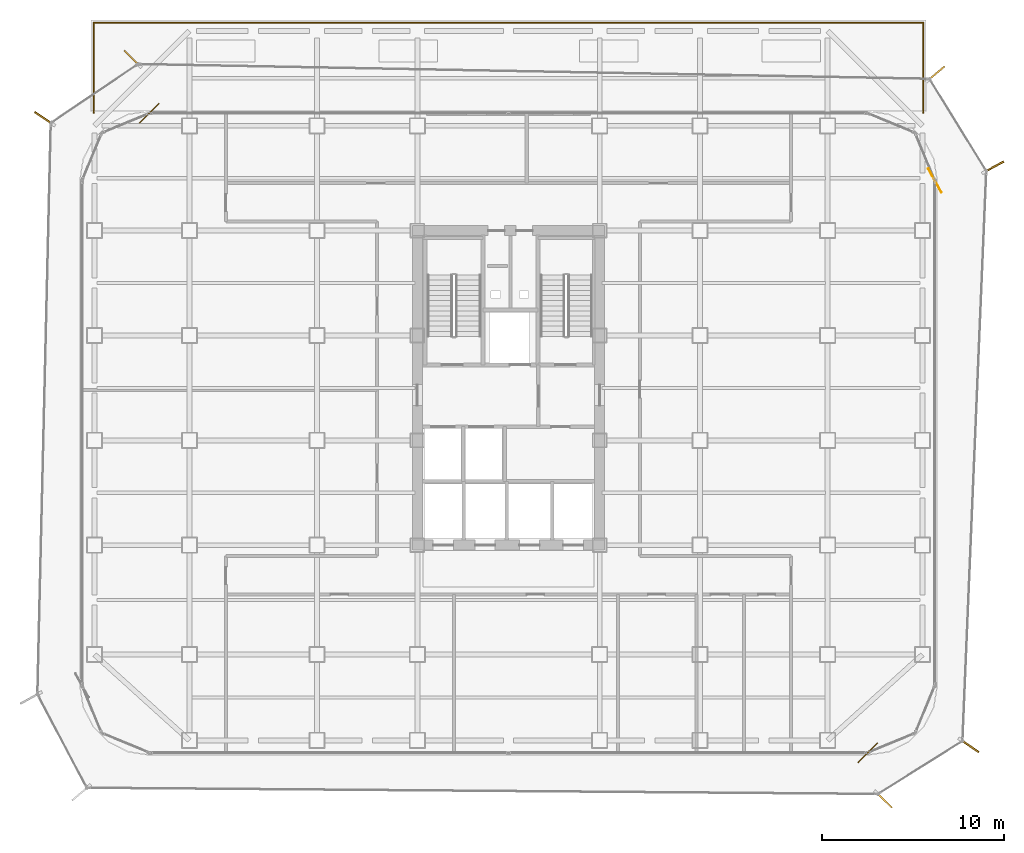
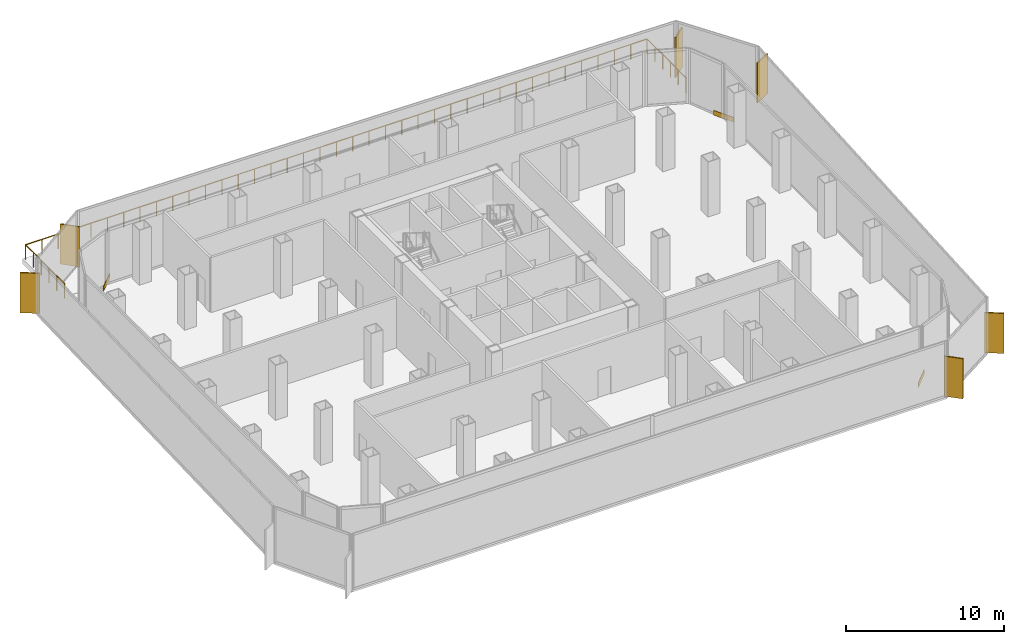
# One storey, part 21 of 21: 6 shading devices, 3 coverings, 1 railing.
"""IFC4 building model written with IfcOpenShell, lengths in metres."""

from ifc_helpers import new_model, si_unit, direction, frame, origin, origin_2d, place, context, subcontext, project, spatial, rectangle, circle, extrude, source, transform, mapped, material, layer, layer_set, type_object, element, save


model = new_model("IFC4")

# Units and contexts
model_context = context("Model", 3, precision=1e-05, world=origin(), true_north=direction((0.0, 1.0)))
body_context = subcontext(model_context, "Body", "Model", "MODEL_VIEW")
ifc_project = project(units=[si_unit("LENGTHUNIT", "METRE"), si_unit("AREAUNIT", "SQUARE_METRE"), si_unit("VOLUMEUNIT", "CUBIC_METRE"), si_unit("PLANEANGLEUNIT", "RADIAN"), si_unit("MASSUNIT", "GRAM", prefix="KILO")], contexts=[model_context])

# Site, building, storey
site_placement = place(None, origin())
site = spatial("IfcSite", under=ifc_project, at=site_placement, CompositionType="ELEMENT")
building_placement = place(site_placement, origin())
building = spatial("IfcBuilding", under=site, at=building_placement, Name="Kolveth Station Tower", CompositionType="ELEMENT")
storey_placement = place(building_placement, frame((0.0, 0.0, 88.199951171875)))
storey = spatial("IfcBuildingStorey", under=building, at=storey_placement, Name="L23", CompositionType="ELEMENT", Elevation=88.199951171875)

# Railing
ifc_material_1 = material(Name="Black anodized aluminium 6063-T6 and laminated glass", Category="aluminium")
railing_type = type_object("IfcRailingType", Name="Guard_GR1", PredefinedType="BALUSTRADE", material=ifc_material_1)
railing_placement = place(storey_placement, frame((0.75, 35.199951171875, 0.0)))
element("IfcRailing", 1, at=railing_placement, inside=storey, type_object=railing_type, Name="L23 North Sky Garden Perimeter Guard", PredefinedType="BALUSTRADE", context=body_context, shape_type="SweptSolid", body=[
    extrude(circle(Radius=0.02392578125, at=origin_2d()), frame((0.0, 0.0, 1.1259765625), z_axis=(0.0, 1.0, 0.0), x_axis=(-1.0, 0.0, 0.0)), (0.0, 0.0, 1.0), 4.949951171875),
    extrude(circle(Radius=0.02392578125, at=origin_2d()), frame((0.0, 4.949951171875, 1.1259765625), z_axis=(1.0, 0.0, 0.0), x_axis=(0.0, 1.0, 0.0)), (0.0, 0.0, 1.0), 45.5),
    extrude(circle(Radius=0.02392578125, at=origin_2d()), frame((45.5, 4.949951171875, 1.1259765625), z_axis=(0.0, -1.0, 0.0), x_axis=(1.0, 0.0, 0.0)), (0.0, 0.0, 1.0), 4.949951171875),
    extrude(circle(Radius=0.02099609375, at=origin_2d()), origin(), (0.0, 0.0, 1.0), 1.101806640625),
    extrude(circle(Radius=0.02099609375, at=origin_2d()), frame((0.0, 0.989990234375, 0.0)), (0.0, 0.0, 1.0), 1.101806640625),
    extrude(circle(Radius=0.02099609375, at=origin_2d()), frame((0.0, 1.97998046875, 0.0)), (0.0, 0.0, 1.0), 1.101806640625),
    extrude(circle(Radius=0.02099609375, at=origin_2d()), frame((0.0, 2.969970703125, 0.0)), (0.0, 0.0, 1.0), 1.101806640625),
    extrude(circle(Radius=0.02099609375, at=origin_2d()), frame((0.0, 3.9599609375, 0.0)), (0.0, 0.0, 1.0), 1.101806640625),
    extrude(circle(Radius=0.02099609375, at=origin_2d()), frame((0.0, 4.949951171875, 0.0)), (0.0, 0.0, 1.0), 1.101806640625),
    extrude(circle(Radius=0.02099609375, at=origin_2d()), frame((1.197265625, 4.949951171875, 0.0)), (0.0, 0.0, 1.0), 1.101806640625),
    extrude(circle(Radius=0.02099609375, at=origin_2d()), frame((2.394775390625, 4.949951171875, 0.0)), (0.0, 0.0, 1.0), 1.101806640625),
    extrude(circle(Radius=0.02099609375, at=origin_2d()), frame((3.592041015625, 4.949951171875, 0.0)), (0.0, 0.0, 1.0), 1.101806640625),
    extrude(circle(Radius=0.02099609375, at=origin_2d()), frame((4.78955078125, 4.949951171875, 0.0)), (0.0, 0.0, 1.0), 1.101806640625),
    extrude(circle(Radius=0.02099609375, at=origin_2d()), frame((5.98681640625, 4.949951171875, 0.0)), (0.0, 0.0, 1.0), 1.101806640625),
    extrude(circle(Radius=0.02099609375, at=origin_2d()), frame((7.184326171875, 4.949951171875, 0.0)), (0.0, 0.0, 1.0), 1.101806640625),
    extrude(circle(Radius=0.02099609375, at=origin_2d()), frame((8.381591796875, 4.949951171875, 0.0)), (0.0, 0.0, 1.0), 1.101806640625),
    extrude(circle(Radius=0.02099609375, at=origin_2d()), frame((9.578857421875, 4.949951171875, 0.0)), (0.0, 0.0, 1.0), 1.101806640625),
    extrude(circle(Radius=0.02099609375, at=origin_2d()), frame((10.7763671875, 4.949951171875, 0.0)), (0.0, 0.0, 1.0), 1.101806640625),
    extrude(circle(Radius=0.02099609375, at=origin_2d()), frame((11.9736328125, 4.949951171875, 0.0)), (0.0, 0.0, 1.0), 1.101806640625),
    extrude(circle(Radius=0.02099609375, at=origin_2d()), frame((13.171142578125, 4.949951171875, 0.0)), (0.0, 0.0, 1.0), 1.101806640625),
    extrude(circle(Radius=0.02099609375, at=origin_2d()), frame((14.368408203125, 4.949951171875, 0.0)), (0.0, 0.0, 1.0), 1.101806640625),
    extrude(circle(Radius=0.02099609375, at=origin_2d()), frame((15.565673828125, 4.949951171875, 0.0)), (0.0, 0.0, 1.0), 1.101806640625),
    extrude(circle(Radius=0.02099609375, at=origin_2d()), frame((16.76318359375, 4.949951171875, 0.0)), (0.0, 0.0, 1.0), 1.101806640625),
    extrude(circle(Radius=0.02099609375, at=origin_2d()), frame((17.96044921875, 4.949951171875, 0.0)), (0.0, 0.0, 1.0), 1.101806640625),
    extrude(circle(Radius=0.02099609375, at=origin_2d()), frame((19.157958984375, 4.949951171875, 0.0)), (0.0, 0.0, 1.0), 1.101806640625),
    extrude(circle(Radius=0.02099609375, at=origin_2d()), frame((20.355224609375, 4.949951171875, 0.0)), (0.0, 0.0, 1.0), 1.101806640625),
    extrude(circle(Radius=0.02099609375, at=origin_2d()), frame((21.552734375, 4.949951171875, 0.0)), (0.0, 0.0, 1.0), 1.101806640625),
    extrude(circle(Radius=0.02099609375, at=origin_2d()), frame((22.75, 4.949951171875, 0.0)), (0.0, 0.0, 1.0), 1.101806640625),
    extrude(circle(Radius=0.02099609375, at=origin_2d()), frame((23.947265625, 4.949951171875, 0.0)), (0.0, 0.0, 1.0), 1.101806640625),
    extrude(circle(Radius=0.02099609375, at=origin_2d()), frame((25.144775390625, 4.949951171875, 0.0)), (0.0, 0.0, 1.0), 1.101806640625),
    extrude(circle(Radius=0.02099609375, at=origin_2d()), frame((26.342041015625, 4.949951171875, 0.0)), (0.0, 0.0, 1.0), 1.101806640625),
    extrude(circle(Radius=0.02099609375, at=origin_2d()), frame((27.53955078125, 4.949951171875, 0.0)), (0.0, 0.0, 1.0), 1.101806640625),
    extrude(circle(Radius=0.02099609375, at=origin_2d()), frame((28.73681640625, 4.949951171875, 0.0)), (0.0, 0.0, 1.0), 1.101806640625),
    extrude(circle(Radius=0.02099609375, at=origin_2d()), frame((29.934326171875, 4.949951171875, 0.0)), (0.0, 0.0, 1.0), 1.101806640625),
    extrude(circle(Radius=0.02099609375, at=origin_2d()), frame((31.131591796875, 4.949951171875, 0.0)), (0.0, 0.0, 1.0), 1.101806640625),
    extrude(circle(Radius=0.02099609375, at=origin_2d()), frame((32.328857421875, 4.949951171875, 0.0)), (0.0, 0.0, 1.0), 1.101806640625),
    extrude(circle(Radius=0.02099609375, at=origin_2d()), frame((33.5263671875, 4.949951171875, 0.0)), (0.0, 0.0, 1.0), 1.101806640625),
    extrude(circle(Radius=0.02099609375, at=origin_2d()), frame((34.7236328125, 4.949951171875, 0.0)), (0.0, 0.0, 1.0), 1.101806640625),
    extrude(circle(Radius=0.02099609375, at=origin_2d()), frame((35.921142578125, 4.949951171875, 0.0)), (0.0, 0.0, 1.0), 1.101806640625),
    extrude(circle(Radius=0.02099609375, at=origin_2d()), frame((37.118408203125, 4.949951171875, 0.0)), (0.0, 0.0, 1.0), 1.101806640625),
    extrude(circle(Radius=0.02099609375, at=origin_2d()), frame((38.315673828125, 4.949951171875, 0.0)), (0.0, 0.0, 1.0), 1.101806640625),
    extrude(circle(Radius=0.02099609375, at=origin_2d()), frame((39.51318359375, 4.949951171875, 0.0)), (0.0, 0.0, 1.0), 1.101806640625),
    extrude(circle(Radius=0.02099609375, at=origin_2d()), frame((40.71044921875, 4.949951171875, 0.0)), (0.0, 0.0, 1.0), 1.101806640625),
    extrude(circle(Radius=0.02099609375, at=origin_2d()), frame((41.907958984375, 4.949951171875, 0.0)), (0.0, 0.0, 1.0), 1.101806640625),
    extrude(circle(Radius=0.02099609375, at=origin_2d()), frame((43.105224609375, 4.949951171875, 0.0)), (0.0, 0.0, 1.0), 1.101806640625),
    extrude(circle(Radius=0.02099609375, at=origin_2d()), frame((44.302734375, 4.949951171875, 0.0)), (0.0, 0.0, 1.0), 1.101806640625),
    extrude(circle(Radius=0.02099609375, at=origin_2d()), frame((45.5, 4.949951171875, 0.0)), (0.0, 0.0, 1.0), 1.101806640625),
    extrude(circle(Radius=0.02099609375, at=origin_2d()), frame((45.5, 3.9599609375, 0.0)), (0.0, 0.0, 1.0), 1.101806640625),
    extrude(circle(Radius=0.02099609375, at=origin_2d()), frame((45.5, 2.969970703125, 0.0)), (0.0, 0.0, 1.0), 1.101806640625),
    extrude(circle(Radius=0.02099609375, at=origin_2d()), frame((45.5, 1.97998046875, 0.0)), (0.0, 0.0, 1.0), 1.101806640625),
    extrude(circle(Radius=0.02099609375, at=origin_2d()), frame((45.5, 0.989990234375, 0.0)), (0.0, 0.0, 1.0), 1.101806640625),
    extrude(circle(Radius=0.02099609375, at=origin_2d()), frame((45.5, 0.0, 0.0)), (0.0, 0.0, 1.0), 1.101806640625),
])

# Shading devices
ifc_material_2 = material(Name="Black anodized aluminium 6063-T6", Category="aluminium")
shading_device_type = type_object("IfcShadingDeviceType", Name="FIN_VF1", PredefinedType="USERDEFINED", material=ifc_material_2)
shared_shape_1 = source(origin(), body_context, "Body", "SweptSolid", [
    extrude(rectangle(XDim=1.25, YDim=0.090087890625, at=origin_2d()), origin(), (0.0, 0.0, 1.0), 3.10009765625),
])
for number, where, z_axis, x_axis, name in (
    (2, (44.0849609375, -2.4599609375, 0.0), (0.0, 0.0, 1.0), (0.715326946227, -0.698789925516, 0.0), "L23 Dark-Aluminium Solar Fin 1"),
    (3, (48.77001953125, 0.509033203125, 0.0), (0.0, 0.0, 1.0), (0.827570769564, -0.561361399958, 0.0), "L23 Dark-Aluminium Solar Fin 2"),
    (4, (50.10009765625, 32.237060546875, 0.0), (0.0, 0.0, 1.0), (0.876810690731, 0.480835743909, 0.0), "L23 Dark-Aluminium Solar Fin 3"),
    (5, (46.93701171875, 37.35791015625, 0.0), (0.0, 0.0, 1.0), (0.7653708976, 0.643589456957, 0.0), "L23 Dark-Aluminium Solar Fin 4"),
    (6, (2.864990234375, 38.193115234375, 0.0), (0.0, 0.0, 1.0), (-0.7087093341, 0.705500588065, 0.0), "L23 Dark-Aluminium Solar Fin 5"),
    (7, (-1.965087890625, 34.903076171875, 0.0), (0.0, 0.0, 1.0), (-0.827864584251, 0.560928007986, 0.0), "L23 Dark-Aluminium Solar Fin 6"),
):
    element("IfcShadingDevice", number, at=place(storey_placement, frame(where, z_axis=z_axis, x_axis=x_axis)), inside=storey, type_object=shading_device_type, Name=name, ObjectType="FIN", PredefinedType="USERDEFINED", context=body_context, shape_type="MappedRepresentation", body=[
        mapped(shared_shape_1, transform((0.0, 0.0, 0.0), x_axis=(1.0, 0.0, 0.0), y_axis=(0.0, 1.0, 0.0), z_axis=(0.0, 0.0, 1.0), scale=1.0)),
    ])

# Coverings
ifc_material_3 = material(Name="Charcoal anodized aluminium spandrel cladding", Category="aluminium")
ifc_layer = layer(ifc_material_3, 0.044921875)
ifc_layer_set = layer_set([ifc_layer], Name="Charcoal anodized aluminium spandrel cladding")
covering_type = type_object("IfcCoveringType", Name="Clad_CD1", PredefinedType="CLADDING", material=ifc_layer_set)
shared_shape_2 = source(origin(), body_context, "Body", "SweptSolid", [
    extrude(rectangle(XDim=1.5, YDim=0.044921875, at=origin_2d()), origin(), (0.0, 0.0, 1.0), 0.360107421875),
])
for number, where, z_axis, x_axis, name in (
    (8, (43.199951171875, 0.1201171875, 0.0), (0.0, 0.0, 1.0), (0.698789925516, 0.715326946227, 0.0), "L23 Spandrel Edge Cladding 1"),
    (9, (46.8798828125, 31.5, 0.0), (0.0, 0.0, 1.0), (-0.480835743909, 0.876810690731, 0.0), "L23 Spandrel Edge Cladding 3"),
    (10, (3.800048828125, 35.179931640625, 0.0), (0.0, 0.0, 1.0), (-0.705500588065, -0.7087093341, 0.0), "L23 Spandrel Edge Cladding 5"),
):
    element("IfcCovering", number, at=place(storey_placement, frame(where, z_axis=z_axis, x_axis=x_axis)), inside=storey, type_object=covering_type, Name=name, PredefinedType="CLADDING", context=body_context, shape_type="MappedRepresentation", body=[
        mapped(shared_shape_2, transform((0.0, 0.0, 0.0), x_axis=(1.0, 0.0, 0.0), y_axis=(0.0, 1.0, 0.0), z_axis=(0.0, 0.0, 1.0), scale=1.0)),
    ])

save(model, "model.ifc")
